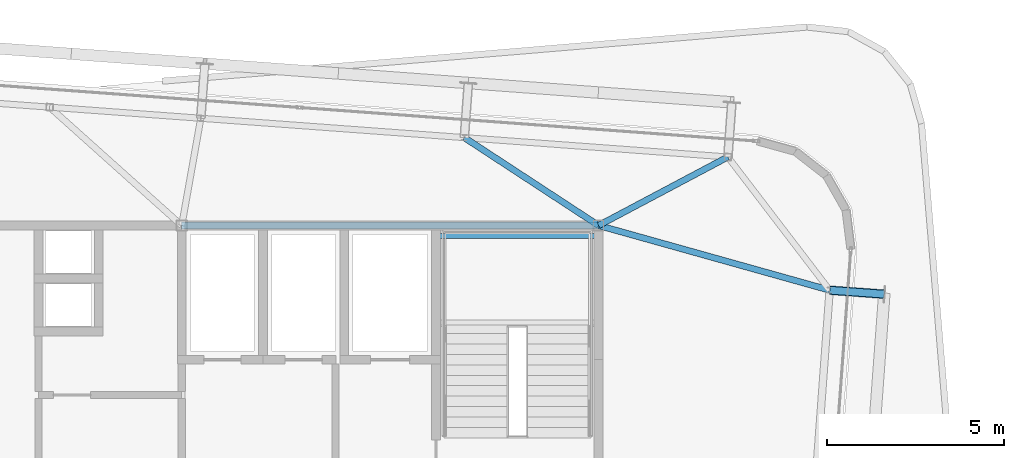
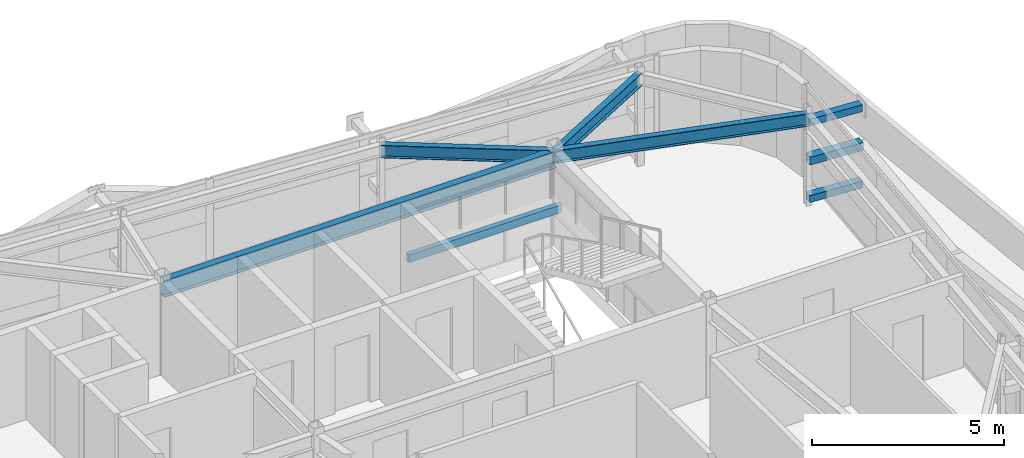
# One storey, part 19 of 37: 5 beams, 3 members.
"""IFC4 building model written with IfcOpenShell, lengths in metres."""

from ifc_helpers import new_model, si_unit, direction, frame, origin, origin_2d, place, context, subcontext, project, spatial, hollow_rectangle, i_section, extrude, source, transform, mapped, material, material_profile, profile_set, type_object, element, save


model = new_model("IFC4")

# Units and contexts
model_context = context("Model", 3, precision=1e-05, world=origin(), true_north=direction((0.0, 1.0)))
body_context = subcontext(model_context, "Body", "Model", "MODEL_VIEW")
ifc_project = project(units=[si_unit("LENGTHUNIT", "METRE"), si_unit("AREAUNIT", "SQUARE_METRE"), si_unit("VOLUMEUNIT", "CUBIC_METRE"), si_unit("PLANEANGLEUNIT", "RADIAN"), si_unit("MASSUNIT", "GRAM", prefix="KILO")], contexts=[model_context])

# Site, building, storey
site_placement = place(None, origin())
site = spatial("IfcSite", under=ifc_project, at=site_placement, CompositionType="ELEMENT")
building_placement = place(site_placement, origin())
building = spatial("IfcBuilding", under=site, at=building_placement, Name="Taldren Reach Tower", CompositionType="ELEMENT")
storey_placement = place(building_placement, frame((0.0, 0.0, 211.39990234375)))
storey = spatial("IfcBuildingStorey", under=building, at=storey_placement, Name="L64", CompositionType="ELEMENT", Elevation=211.39990234375)

# Beams
ifc_material_1 = material(Name="Steel Gr 350 (350PLUS)", Category="steel")
ifc_material_profile_1 = material_profile(ifc_material_1, i_section(OverallWidth=0.208984375, OverallDepth=0.532958984375, WebThickness=0.01025390625, FlangeThickness=0.015625, at=origin_2d()), Name="530UB92.4")
ifc_profile_set_1 = profile_set([ifc_material_profile_1], Name="Steel Gr 350 (350PLUS)")
beam_type_1 = type_object("IfcBeamType", Name="BM-UB530A", PredefinedType="BEAM", material=ifc_profile_set_1)
shared_shape_1 = source(origin(), body_context, "Body", "SweptSolid", [
    extrude(i_section(OverallWidth=0.208984375, OverallDepth=0.532958984375, WebThickness=0.01025390625, FlangeThickness=0.015625, at=origin_2d()), origin(), (0.0, 0.0, 1.0), 11.800048828125),
])
beam_1_placement = place(storey_placement, frame((39.199951171875, 32.0, 2.66357421875), z_axis=(1.0, 0.0, 0.0), x_axis=(0.0, 1.0, 0.0)))
element("IfcBeam", 1, at=beam_1_placement, inside=storey, type_object=beam_type_1, Name="Core-spine girder L64-SP06", PredefinedType="BEAM", context=body_context, shape_type="MappedRepresentation", body=[
    mapped(shared_shape_1, transform((0.0, 0.0, 0.0), scale=1.0)),
])
ifc_material_profile_2 = material_profile(ifc_material_1, i_section(OverallWidth=0.177978515625, OverallDepth=0.406005859375, WebThickness=0.0078125, FlangeThickness=0.0126953125, at=origin_2d()), Name="410UB59.7")
ifc_profile_set_2 = profile_set([ifc_material_profile_2], Name="Steel Gr 350 (350PLUS)")
beam_type_2 = type_object("IfcBeamType", Name="BM-UB410", PredefinedType="BEAM", material=ifc_profile_set_2)
shared_shape_2 = source(origin(), body_context, "Body", "SweptSolid", [
    extrude(i_section(OverallWidth=0.177978515625, OverallDepth=0.406005859375, WebThickness=0.0078125, FlangeThickness=0.0126953125, at=origin_2d()), origin(), (0.0, 0.0, 1.0), 6.792236328125),
])
beam_2_placement = place(storey_placement, frame((51.0, 32.0, 2.72705078125), z_axis=(0.962968499215, -0.269613926789, 0.0), x_axis=(0.269613926789, 0.962968499215, 0.0)))
element("IfcBeam", 2, at=beam_2_placement, inside=storey, type_object=beam_type_2, Name="Primary floor girder B5-E3 L64", PredefinedType="BEAM", context=body_context, shape_type="MappedRepresentation", body=[
    mapped(shared_shape_2, transform((0.0, 0.0, 0.0), scale=1.0)),
])
shared_shape_3 = source(origin(), body_context, "Body", "SweptSolid", [
    extrude(i_section(OverallWidth=0.177978515625, OverallDepth=0.406005859375, WebThickness=0.0078125, FlangeThickness=0.0126953125, at=origin_2d()), origin(), (0.0, 0.0, 1.0), 4.1416015625),
])
beam_3_placement = place(storey_placement, frame((51.0, 32.0, 2.72705078125), z_axis=(0.883552655042, 0.468331832965, 0.0), x_axis=(-0.468331832965, 0.883552655042, 0.0)))
element("IfcBeam", 3, at=beam_3_placement, inside=storey, type_object=beam_type_2, Name="Primary floor girder B5-N6 L64", PredefinedType="BEAM", context=body_context, shape_type="MappedRepresentation", body=[
    mapped(shared_shape_3, transform((0.0, 0.0, 0.0), scale=1.0)),
])
shared_shape_4 = source(origin(), body_context, "Body", "SweptSolid", [
    extrude(i_section(OverallWidth=0.177978515625, OverallDepth=0.406005859375, WebThickness=0.0078125, FlangeThickness=0.0126953125, at=origin_2d()), origin(), (0.0, 0.0, 1.0), 4.542236328125),
])
beam_4_placement = place(storey_placement, frame((51.0, 32.0, 2.72705078125), z_axis=(-0.836709129479, 0.547647544181, 0.0), x_axis=(-0.547647544181, -0.836709129479, 0.0)))
element("IfcBeam", 4, at=beam_4_placement, inside=storey, type_object=beam_type_2, Name="Primary floor girder B5-N5 L64", PredefinedType="BEAM", context=body_context, shape_type="MappedRepresentation", body=[
    mapped(shared_shape_4, transform((0.0, 0.0, 0.0), scale=1.0)),
])

# Members
ifc_material_2 = material(Name="Steel Gr 450 (C450L0)", Category="steel")
ifc_material_profile_3 = material_profile(ifc_material_2, hollow_rectangle(XDim=0.219970703125, YDim=0.219970703125, WallThickness=0.00830078125, at=origin_2d()), Name="220x220x8.2SHS")
ifc_profile_set_3 = profile_set([ifc_material_profile_3], Name="Steel Gr 450 (C450L0)")
member_type_1 = type_object("IfcMemberType", Name="MB-TIE219", PredefinedType="STRUT", material=ifc_profile_set_3)
shared_shape_5 = source(origin(), body_context, "Body", "SweptSolid", [
    extrude(hollow_rectangle(XDim=0.219970703125, YDim=0.219970703125, WallThickness=0.00830078125, at=origin_2d()), origin(), (0.0, 0.0, 1.0), 1.5458984375),
])
for number, where, z_axis, x_axis, name in (
    (5, (57.544921875, 30.168212890625, 2.650146484375), (0.99732305975, -0.073121231459, 0.0), (0.073121231459, 0.99732305975, 0.0), "Exoskeleton diaphragm tie strut B5-E3 L64"),
    (6, (57.544921875, 30.168212890625, 0.22021484375), (0.99732305975, -0.073121231459, 0.0), (0.073121231459, 0.99732305975, 0.0), "Exoskeleton base diaphragm tie strut B5-E3 L64"),
):
    element("IfcMember", number, at=place(storey_placement, frame(where, z_axis=z_axis, x_axis=x_axis)), inside=storey, type_object=member_type_1, Name=name, PredefinedType="STRUT", context=body_context, shape_type="MappedRepresentation", body=[
        mapped(shared_shape_5, transform((0.0, 0.0, 0.0), scale=1.0)),
    ])
ifc_material_3 = material(Name="Steel Gr 350 (C350L0)", Category="steel")
ifc_material_profile_4 = material_profile(ifc_material_3, hollow_rectangle(XDim=0.25, YDim=0.25, WallThickness=0.010009765625, at=origin_2d()), Name="250x250x10.0SHS")
ifc_profile_set_4 = profile_set([ifc_material_profile_4], Name="Steel Gr 350 (C350L0)")
member_type_2 = type_object("IfcMemberType", Name="MB-POST250", PredefinedType="POST", material=ifc_profile_set_4)
shared_shape_6 = source(origin(), body_context, "Body", "SweptSolid", [
    extrude(hollow_rectangle(XDim=0.25, YDim=0.25, WallThickness=0.010009765625, at=origin_2d()), origin(), (0.0, 0.0, 1.0), 1.5458984375),
])
member_placement = place(storey_placement, frame((57.544921875, 30.168212890625, 1.43505859375), z_axis=(0.99732305975, -0.073121231459, 0.0), x_axis=(0.073121231459, 0.99732305975, 0.0)))
element("IfcMember", 7, at=member_placement, inside=storey, type_object=member_type_2, Name="Exoskeleton mid-tier diaphragm tie B5-E3 L64", PredefinedType="POST", context=body_context, shape_type="MappedRepresentation", body=[
    mapped(shared_shape_6, transform((0.0, 0.0, 0.0), scale=1.0)),
])

# Beam
ifc_material_profile_5 = material_profile(ifc_material_3, hollow_rectangle(XDim=0.14990234375, YDim=0.25, WallThickness=0.009033203125, at=origin_2d()), Name="250x150x9.0RHS")
ifc_profile_set_5 = profile_set([ifc_material_profile_5], Name="Steel Gr 350 (C350L0)")
beam_type_3 = type_object("IfcBeamType", Name="LN-RHS250", PredefinedType="LINTEL", material=ifc_profile_set_5)
shared_shape_7 = source(origin(), body_context, "Body", "SweptSolid", [
    extrude(hollow_rectangle(XDim=0.14990234375, YDim=0.25, WallThickness=0.009033203125, at=origin_2d()), origin(), (0.0, 0.0, 1.0), 4.60009765625),
])
beam_5_placement = place(storey_placement, frame((46.39990234375, 31.699951171875, 1.27001953125), z_axis=(1.0, 0.0, 0.0), x_axis=(0.0, 1.0, 0.0)))
element("IfcBeam", 8, at=beam_5_placement, inside=storey, type_object=beam_type_3, Name="Stair half-landing support beam ST2-L64-2", PredefinedType="LINTEL", context=body_context, shape_type="MappedRepresentation", body=[
    mapped(shared_shape_7, transform((0.0, 0.0, 0.0), scale=1.0)),
])

save(model, "model.ifc")
